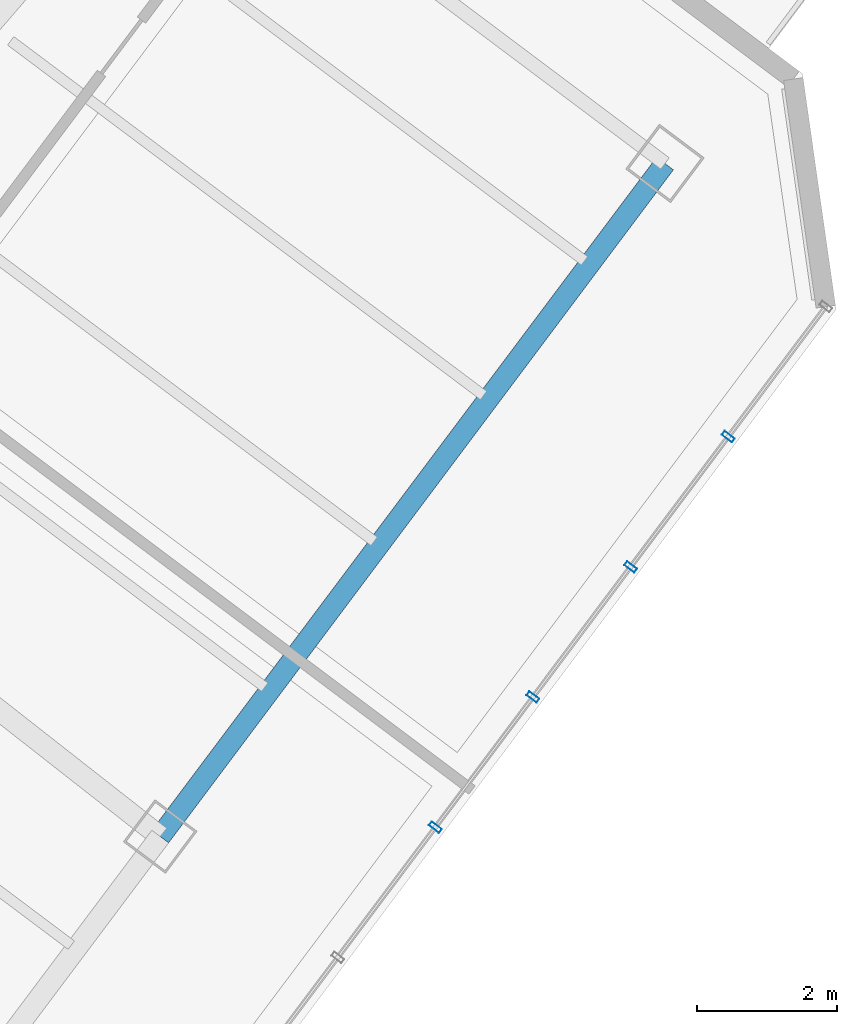
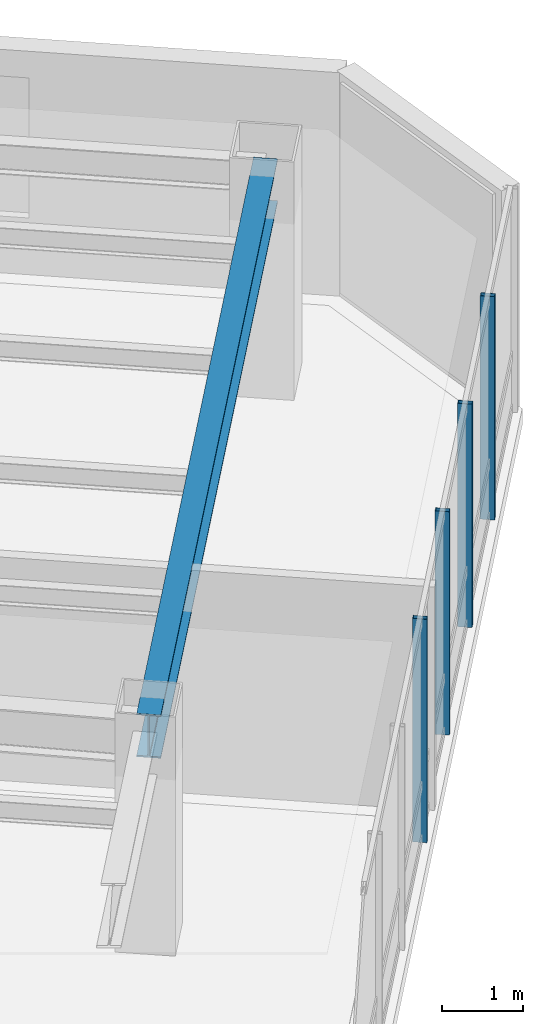
# One storey, part 13 of 27: 4 members, 1 beam, 1 element without a shape of its own.
"""IFC4 building model written with IfcOpenShell, lengths in metres."""

import ifcopenshell
import ifcopenshell.guid

model = None  # the IFC model being written
_history = None  # IfcOwnerHistory: only IFC2X3 demands one
_inside = {}  # id of a spatial element -> (the spatial element, [elements in it])
_under = {}  # id of a project, library or spatial element -> (it, [spatial elements below it])
_declared = {}  # id of a project -> (the project, [libraries it declares])
_typed = {}  # id of a type object -> (the type object, [elements of that type])
_made_of = {}  # id of a material, layer set ... -> (it, [elements and type objects made of it])


def new_model(schema):
    """Start an empty IFC model of exactly this schema.

    Asked for "IFC4X3", IfcOpenShell would pick the latest addendum, in which some entities
    have other attributes; the version numbers below select the first issue.
    IFC2X3 requires an IfcOwnerHistory on every rooted entity: one is made here for all.
    """
    global model, _history
    if schema == "IFC4X3":
        model = ifcopenshell.file(schema_version=(4, 3, 0, 0))
    else:
        model = ifcopenshell.file(schema=schema)
    _inside.clear()
    _under.clear()
    _declared.clear()
    _typed.clear()
    _made_of.clear()
    _history = None
    if model.schema == "IFC2X3":
        org = make("IfcOrganization", Name="unknown")
        user = make(
            "IfcPersonAndOrganization",
            ThePerson=make("IfcPerson", FamilyName="unknown"),
            TheOrganization=org,
        )
        app = make(
            "IfcApplication",
            ApplicationDeveloper=org,
            Version="unknown",
            ApplicationFullName="unknown",
            ApplicationIdentifier="unknown",
        )
        _history = make(
            "IfcOwnerHistory",
            OwningUser=user,
            OwningApplication=app,
            ChangeAction="ADDED",
            CreationDate=0,
        )
    return model


def make(cls, **values):
    """One entity of the class cls with the attributes given. An attribute that is None is left unset."""
    return model.create_entity(
        cls, **{name: value for name, value in values.items() if value is not None}
    )


def rooted(cls, **values):
    """An entity with a GlobalId (a new one), such as an element, a storey or a relation."""
    return make(cls, GlobalId=ifcopenshell.guid.new(), OwnerHistory=_history, **values)


def si_unit(unit_type, name, prefix=None):
    """IfcSIUnit, for example si_unit("LENGTHUNIT", "METRE", prefix="MILLI")."""
    return make("IfcSIUnit", UnitType=unit_type, Prefix=prefix, Name=name)


def assignment(units):
    """IfcUnitAssignment: the units of a project."""
    return None if units is None else make("IfcUnitAssignment", Units=units)


def point(xyz):
    """IfcCartesianPoint."""
    return None if xyz is None else make("IfcCartesianPoint", Coordinates=xyz)


def direction(xyz):
    """IfcDirection."""
    return None if xyz is None else make("IfcDirection", DirectionRatios=xyz)


def frame(location, z_axis=None, x_axis=None):
    """IfcAxis2Placement3D, a coordinate frame: its origin and axes. An axis left out is left unset."""
    return make(
        "IfcAxis2Placement3D",
        Location=point(location),
        Axis=direction(z_axis),
        RefDirection=direction(x_axis),
    )


def frame_2d(location, x_axis=None):
    """IfcAxis2Placement2D, a coordinate frame in the plane: its origin and x axis."""
    return make(
        "IfcAxis2Placement2D", Location=point(location), RefDirection=direction(x_axis)
    )


def origin():
    """The frame at (0, 0, 0) with its axes left unset."""
    return frame((0.0, 0.0, 0.0))


def origin_2d():
    """The frame at (0, 0) in the plane with its x axis left unset."""
    return frame_2d((0.0, 0.0))


def place(relative_to, where):
    """IfcLocalPlacement: puts the frame where relative to a parent placement (None: the world)."""
    return make(
        "IfcLocalPlacement", PlacementRelTo=relative_to, RelativePlacement=where
    )


def context(
    kind, dimensions, precision=None, world=None, true_north=None, identifier=None
):
    """IfcGeometricRepresentationContext, for example the 3D "Model" context."""
    return make(
        "IfcGeometricRepresentationContext",
        ContextIdentifier=identifier,
        ContextType=kind,
        CoordinateSpaceDimension=dimensions,
        Precision=precision,
        WorldCoordinateSystem=world,
        TrueNorth=true_north,
    )


def subcontext(parent, identifier, kind, view, scale=None):
    """IfcGeometricRepresentationSubContext, for example "Body" below "Model"."""
    return make(
        "IfcGeometricRepresentationSubContext",
        ContextIdentifier=identifier,
        ContextType=kind,
        ParentContext=parent,
        TargetScale=scale,
        TargetView=view,
    )


def project(units=None, contexts=None):
    """IfcProject with its units and contexts."""
    return rooted(
        "IfcProject",
        Name="project",
        RepresentationContexts=contexts,
        UnitsInContext=assignment(units),
    )


def spatial(cls, under=None, at=None, **own):
    """A site, building, storey or space (cls), placed at a placement, below another one or the project."""
    s = rooted(cls, ObjectPlacement=at, **own)
    if under is not None:
        _under.setdefault(under.id(), (under, []))[1].append(s)
    return s


def profile(cls, at=None, kind="AREA", **sizes):
    """A parametric profile (cls). Its sizes go by their IFC names, for example OverallWidth=200.0."""
    return make(cls, ProfileType=kind, Position=at, **sizes)


def hollow_rectangle(**sizes):
    """IfcRectangleHollowProfileDef."""
    return profile("IfcRectangleHollowProfileDef", **sizes)


def i_section(**sizes):
    """IfcIShapeProfileDef."""
    return profile("IfcIShapeProfileDef", **sizes)


def extrude(swept, where, along, depth):
    """IfcExtrudedAreaSolid: the profile swept, set in the frame where, extruded along a direction by depth."""
    return make(
        "IfcExtrudedAreaSolid",
        SweptArea=swept,
        Position=where,
        ExtrudedDirection=direction(along),
        Depth=depth,
    )


def shape(context_of_items, identifier, shape_type, items):
    """IfcShapeRepresentation: the items that make up one representation, for example the "Body"."""
    return make(
        "IfcShapeRepresentation",
        ContextOfItems=context_of_items,
        RepresentationIdentifier=identifier,
        RepresentationType=shape_type,
        Items=items,
    )


def material(Name=None, Category=None):
    """IfcMaterial."""
    return make("IfcMaterial", Name=Name, Category=Category)


def layer(
    of_material, thickness, ventilated=None, Name=None, Category=None, Priority=None
):
    """IfcMaterialLayer: one layer of a wall or slab, of a material (None: an air gap)."""
    return make(
        "IfcMaterialLayer",
        Material=of_material,
        LayerThickness=thickness,
        IsVentilated=ventilated,
        Name=Name,
        Category=Category,
        Priority=Priority,
    )


def layer_set(layers, Name=None):
    """IfcMaterialLayerSet."""
    return make("IfcMaterialLayerSet", MaterialLayers=layers, LayerSetName=Name)


def material_profile(
    of_material, cross_section, Name=None, Category=None, Priority=None
):
    """IfcMaterialProfile: a cross section and its material."""
    return make(
        "IfcMaterialProfile",
        Name=Name,
        Material=of_material,
        Profile=cross_section,
        Priority=Priority,
        Category=Category,
    )


def profile_set(profiles, Name=None, composite=None):
    """IfcMaterialProfileSet."""
    return make(
        "IfcMaterialProfileSet",
        Name=Name,
        MaterialProfiles=profiles,
        CompositeProfile=composite,
    )


def made_of(thing, what):
    """Note that an element or type object is made of a material, layer set ...; save() writes the relation."""
    if what is not None:
        _made_of.setdefault(what.id(), (what, []))[1].append(thing)
    return thing


def type_object(cls, material=None, **own):
    """A type object (cls), such as IfcWallType, which elements share."""
    return made_of(rooted(cls, **own), material)


def element(
    cls,
    number,
    at=None,
    inside=None,
    cuts=None,
    type_object=None,
    material=None,
    context=None,
    identifier="Body",
    shape_type=None,
    held_by="IfcProductDefinitionShape",
    body=None,
    shapes=None,
    **own,
):
    """One element of the class cls, such as IfcWall. Its Tag is "e" and its number.

    at: its placement. inside: the storey or other place that contains it. cuts: it is an
    opening in that element (IfcRelVoidsElement). A single representation is given by context,
    identifier, shape_type and body (its items); several are given by shapes. held_by: the class
    of the entity that holds the representations. save() writes the other relations.
    """
    e = rooted(cls, Tag="e%d" % number, ObjectPlacement=at, **own)
    if body is not None:
        shapes = [shape(context, identifier, shape_type, body)]
    if shapes is not None:
        e.Representation = make(held_by, Representations=shapes)
    if inside is not None:
        _inside.setdefault(inside.id(), (inside, []))[1].append(e)
    if cuts is not None:
        rooted(
            "IfcRelVoidsElement", RelatingBuildingElement=cuts, RelatedOpeningElement=e
        )
    if type_object is not None:
        _typed.setdefault(type_object.id(), (type_object, []))[1].append(e)
    return made_of(e, material)


def aggregate(whole, parts):
    """IfcRelAggregates: a whole, such as a stair, and the parts it consists of."""
    return rooted("IfcRelAggregates", RelatingObject=whole, RelatedObjects=parts)


def save(model, path):
    """Write the relations noted so far, then the file.

    IfcRelAggregates (storeys below a building ...), IfcRelContainedInSpatialStructure (elements
    in a storey), IfcRelDefinesByType, IfcRelAssociatesMaterial and IfcRelDeclares: one each for
    every whole, place, type object, material and project.
    """
    for whole, parts in _under.values():
        aggregate(whole, parts)
    for where, things in _inside.values():
        rooted(
            "IfcRelContainedInSpatialStructure",
            RelatedElements=things,
            RelatingStructure=where,
        )
    for kind, things in _typed.values():
        rooted("IfcRelDefinesByType", RelatedObjects=things, RelatingType=kind)
    for what, things in _made_of.values():
        rooted("IfcRelAssociatesMaterial", RelatedObjects=things, RelatingMaterial=what)
    for by, libraries in _declared.values():
        rooted("IfcRelDeclares", RelatingContext=by, RelatedDefinitions=libraries)
    model.write(path)


model = new_model("IFC4")

# Units and contexts
model_context = context("Model", 3, precision=1e-05, world=origin(), true_north=direction((0.0, 1.0)))
body_context = subcontext(model_context, "Body", "Model", "MODEL_VIEW")
ifc_project = project(units=[si_unit("LENGTHUNIT", "METRE"), si_unit("AREAUNIT", "SQUARE_METRE"), si_unit("VOLUMEUNIT", "CUBIC_METRE"), si_unit("PLANEANGLEUNIT", "RADIAN"), si_unit("MASSUNIT", "GRAM", prefix="KILO")], contexts=[model_context])

# Site, building, storey
site_placement = place(None, origin())
site = spatial("IfcSite", under=ifc_project, at=site_placement, CompositionType="ELEMENT")
building_placement = place(site_placement, origin())
building = spatial("IfcBuilding", under=site, at=building_placement, Name="Hatsunagi Terrace Concourse", CompositionType="ELEMENT")
storey_placement = place(building_placement, frame((0.0, 0.0, 174.449951171875)))
storey = spatial("IfcBuildingStorey", under=building, at=storey_placement, Name="L46", CompositionType="ELEMENT", Elevation=174.449951171875)

# Curtain wall, members
ifc_material_1 = material(Name="Anodised Aluminium Alloy 6063-T5", Category="aluminium")
ifc_layer = layer(ifc_material_1, 0.199951171875)
ifc_layer_set = layer_set([ifc_layer], Name="OfficeZone1_CW03")
curtain_wall_type = type_object("IfcCurtainWallType", Name="OfficeZone1_CW03", PredefinedType="NOTDEFINED", material=ifc_layer_set)
curtain_wall_placement = place(storey_placement, origin())
curtain_wall = element("IfcCurtainWall", 1, at=curtain_wall_placement, inside=storey, type_object=curtain_wall_type, Name="Unitised Curtain Wall CW-03 CW-L46-03", PredefinedType="NOTDEFINED")
ifc_material_2 = material(Name="Anodised Aluminium Alloy 6063-T5", Category="aluminium")
ifc_material_profile_1 = material_profile(ifc_material_2, hollow_rectangle(XDim=0.070068359375, YDim=0.179931640625, WallThickness=0.00390625, at=origin_2d()), Name="ALU-MUL-180x70x4")
ifc_profile_set_1 = profile_set([ifc_material_profile_1], Name="Anodised Aluminium Alloy 6063-T5")
member_type = type_object("IfcMemberType", Name="CurtainWallMullion_180x70", PredefinedType="MULLION", material=ifc_profile_set_1)
member_1_placement = place(storey_placement, frame((59.301025390625, 24.10205078125, 0.0), z_axis=(0.0, 0.0, 1.0), x_axis=(-0.599969314634, -0.800023013105, 0.0)))
member_1 = element("IfcMember", 2, at=member_1_placement, type_object=member_type, Name="Curtain Wall Mullion MUL-02", PredefinedType="MULLION", context=body_context, shape_type="SweptSolid", body=[
    extrude(hollow_rectangle(XDim=0.070068359375, YDim=0.179931640625, WallThickness=0.00390625, at=origin_2d()), origin(), (0.0, 0.0, 1.0), 3.35009765625),
])
member_2_placement = place(storey_placement, frame((57.908935546875, 22.2451171875, 0.0), z_axis=(0.0, 0.0, 1.0), x_axis=(-0.599969314634, -0.800023013105, 0.0)))
member_2 = element("IfcMember", 3, at=member_2_placement, type_object=member_type, Name="Curtain Wall Mullion MUL-02", PredefinedType="MULLION", context=body_context, shape_type="SweptSolid", body=[
    extrude(hollow_rectangle(XDim=0.070068359375, YDim=0.179931640625, WallThickness=0.00390625, at=origin_2d()), origin(), (0.0, 0.0, 1.0), 3.35009765625),
])
member_3_placement = place(storey_placement, frame((56.51611328125, 20.388916015625, 0.0), z_axis=(0.0, 0.0, 1.0), x_axis=(-0.599969314634, -0.800023013105, 0.0)))
member_3 = element("IfcMember", 4, at=member_3_placement, type_object=member_type, Name="Curtain Wall Mullion MUL-02", PredefinedType="MULLION", context=body_context, shape_type="SweptSolid", body=[
    extrude(hollow_rectangle(XDim=0.070068359375, YDim=0.179931640625, WallThickness=0.00390625, at=origin_2d()), origin(), (0.0, 0.0, 1.0), 3.35009765625),
])
member_4_placement = place(storey_placement, frame((55.1240234375, 18.531982421875, 0.0), z_axis=(0.0, 0.0, 1.0), x_axis=(-0.599969314634, -0.800023013105, 0.0)))
member_4 = element("IfcMember", 5, at=member_4_placement, type_object=member_type, Name="Curtain Wall Mullion MUL-02", PredefinedType="MULLION", context=body_context, shape_type="SweptSolid", body=[
    extrude(hollow_rectangle(XDim=0.070068359375, YDim=0.179931640625, WallThickness=0.00390625, at=origin_2d()), origin(), (0.0, 0.0, 1.0), 3.35009765625),
])
aggregate(curtain_wall, [member_1, member_2, member_3, member_4])

# Beam
ifc_material_3 = material(Name="Steel SN490B", Category="steel")
ifc_material_profile_2 = material_profile(ifc_material_3, i_section(OverallWidth=0.300048828125, OverallDepth=0.64990234375, WebThickness=0.012939453125, FlangeThickness=0.02197265625, FilletRadius=0.01806640625, at=origin_2d()), Name="H-650x300x13x22")
ifc_profile_set_2 = profile_set([ifc_material_profile_2], Name="Steel SN490B")
beam_type = type_object("IfcBeamType", Name="OfficeLowGirder_H_650x300", PredefinedType="BEAM", material=ifc_profile_set_2)
beam_placement = place(storey_placement, frame((51.199951171875, 18.39990234375, 3.025146484375), z_axis=(0.59999348959, 0.800004882766, 0.0), x_axis=(-0.800004882766, 0.59999348959, 0.0)))
element("IfcBeam", 6, at=beam_placement, inside=storey, type_object=beam_type, Name="Beam G-05 BM-L46-SET-2B", PredefinedType="BEAM", context=body_context, shape_type="SweptSolid", body=[
    extrude(i_section(OverallWidth=0.300048828125, OverallDepth=0.64990234375, WebThickness=0.012939453125, FlangeThickness=0.02197265625, FilletRadius=0.01806640625, at=origin_2d()), origin(), (0.0, 0.0, 1.0), 12.0),
])

save(model, "model.ifc")
